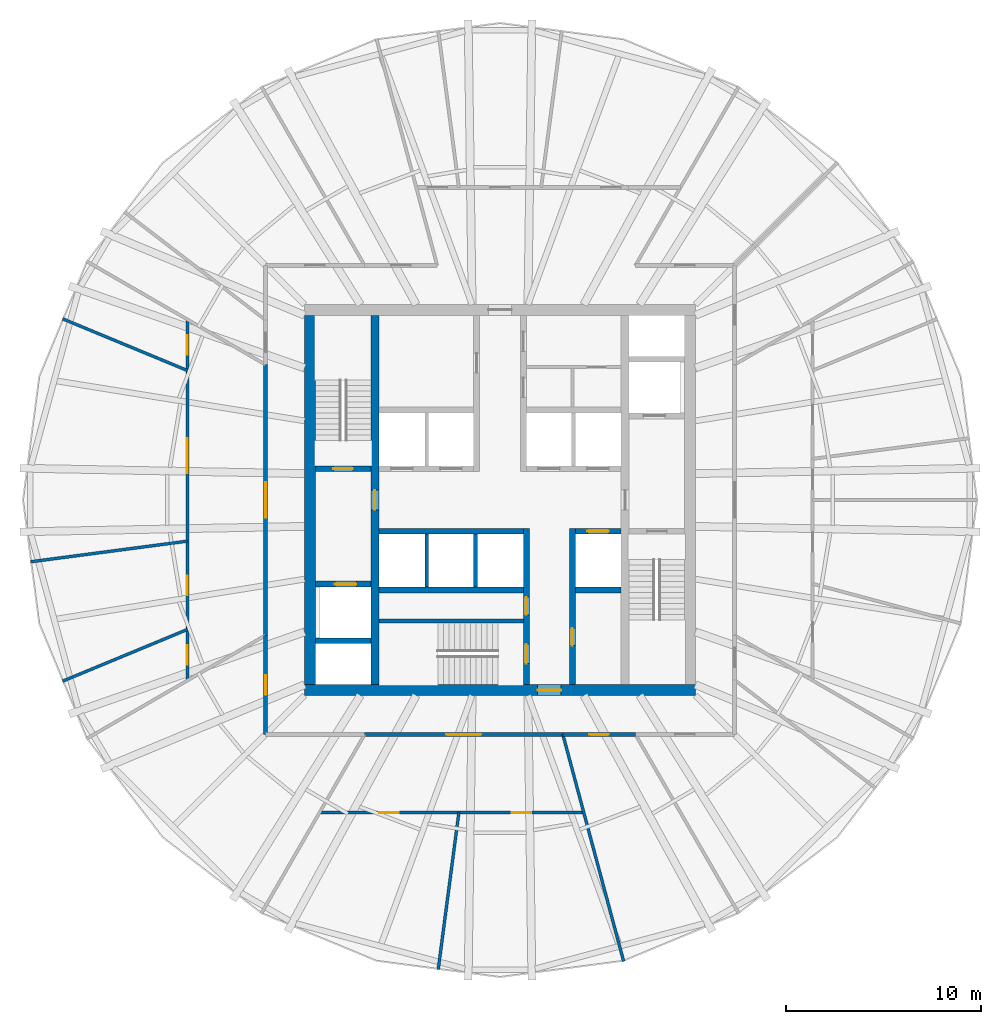
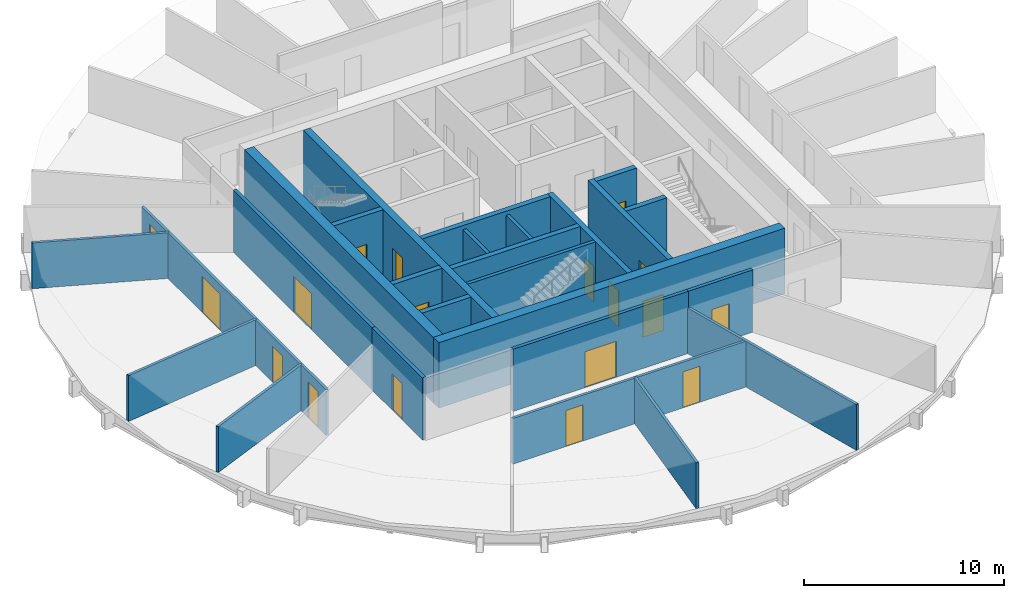
# One storey, part 3 of 6: 26 walls, 18 doors, 18 openings.
"""IFC4 building model written with IfcOpenShell, lengths in metres."""

from ifc_helpers import new_model, si_unit, direction, frame, frame_2d, origin, place, context, subcontext, project, spatial, rectangle, extrude, material, layer, layer_set, type_object, element, fill, save


model = new_model("IFC4")

# Units and contexts
model_context = context("Model", 3, precision=1e-05, world=origin(), true_north=direction((0.0, 1.0)))
body_context = subcontext(model_context, "Body", "Model", "MODEL_VIEW")
ifc_project = project(units=[si_unit("LENGTHUNIT", "METRE"), si_unit("AREAUNIT", "SQUARE_METRE"), si_unit("VOLUMEUNIT", "CUBIC_METRE"), si_unit("PLANEANGLEUNIT", "RADIAN"), si_unit("MASSUNIT", "GRAM", prefix="KILO")], contexts=[model_context])

# Site, building, storey
site_placement = place(None, origin())
site = spatial("IfcSite", under=ifc_project, at=site_placement, CompositionType="ELEMENT")
building_placement = place(site_placement, origin())
building = spatial("IfcBuilding", under=site, at=building_placement, Name="Golbaran Civic Tower", CompositionType="ELEMENT")
storey_placement = place(building_placement, frame((0.0, 0.0, 122.0)))
storey = spatial("IfcBuildingStorey", under=building, at=storey_placement, Name="L29", CompositionType="ELEMENT", Elevation=122.0)

# Wall, opening, door
ifc_material_1 = material(Name="Concrete C50/60", Category="concrete")
ifc_layer_1 = layer(ifc_material_1, 0.39990234375, Name="Concrete C50/60")
ifc_layer_set_1 = layer_set([ifc_layer_1], Name="Concrete C50/60")
wall_type_1 = type_object("IfcWallType", Name="CORE WALL CONCRETE 400", PredefinedType="SOLIDWALL", material=ifc_layer_set_1)
wall_1_placement = place(storey_placement, frame((-6.39990234375, -9.449951171875, 0.0), z_axis=(0.0, 0.0, 1.0), x_axis=(0.0, 1.0, 0.0)))
wall_1 = element("IfcWall", 1, at=wall_1_placement, inside=storey, type_object=wall_type_1, Name="Core wall IW L29", PredefinedType="SOLIDWALL", context=body_context, shape_type="SweptSolid", body=[
    extrude(rectangle(XDim=18.89990234375, YDim=0.39990234375, at=frame_2d((9.449951171875, 0.0))), origin(), (0.0, 0.0, 1.0), 4.0),
])
opening_1_placement = place(wall_1_placement, frame((8.949951171875, 0.0, 0.0)))
opening_1 = element("IfcOpeningElement", 2, at=opening_1_placement, cuts=wall_1, Name="Opening L29.FL1", PredefinedType="OPENING", context=body_context, shape_type="SweptSolid", body=[
    extrude(rectangle(XDim=1.0, YDim=2.199951171875, at=frame_2d((0.5, 1.10009765625))), frame((0.0, 0.2099609375, 0.0), z_axis=(0.0, -1.0, 0.0), x_axis=(1.0, 0.0, 0.0)), (0.0, 0.0, 1.0), 0.419921875),
])
ifc_material_2 = material(Name="Timber door set in steel frame", Category="steel")
door_type_1 = type_object("IfcDoorType", Name="STAIR DOOR 1000x2200", OperationType="SINGLE_SWING_LEFT", PredefinedType="DOOR", material=ifc_material_2)
door_1_placement = place(opening_1_placement, origin())
door_1 = element("IfcDoor", 3, at=door_1_placement, inside=storey, type_object=door_type_1, Name="Fire-fighting lobby FL1 door", OperationType="SINGLE_SWING_LEFT", OverallHeight=2.199951171875, OverallWidth=1.0, PredefinedType="DOOR", context=body_context, shape_type="SweptSolid", body=[
    extrude(rectangle(XDim=1.0, YDim=2.199951171875, at=frame_2d((0.5, 1.10009765625))), frame((0.0, 0.02490234375, 0.0), z_axis=(0.0, -1.0, 0.0), x_axis=(1.0, 0.0, 0.0)), (0.0, 0.0, 1.0), 0.050048828125),
])
fill(opening_1, door_1)

ifc_layer_2 = layer(ifc_material_1, 0.550048828125, Name="Concrete C50/60")
ifc_layer_set_2 = layer_set([ifc_layer_2], Name="Concrete C50/60")
wall_type_2 = type_object("IfcWallType", Name="CORE WALL CONCRETE 550", PredefinedType="SOLIDWALL", material=ifc_layer_set_2)
wall_2_placement = place(storey_placement, frame((10.0, -9.72509765625, 0.0), z_axis=(0.0, 0.0, 1.0), x_axis=(-1.0, 0.0, 0.0)))
wall_2 = element("IfcWall", 4, at=wall_2_placement, inside=storey, type_object=wall_type_2, Name="Core wall CS L29", PredefinedType="SOLIDWALL", context=body_context, shape_type="SweptSolid", body=[
    extrude(rectangle(XDim=20.0, YDim=0.550048828125, at=frame_2d((10.0, 0.0))), origin(), (0.0, 0.0, 1.0), 4.0),
])
opening_2_placement = place(wall_2_placement, frame((6.875, 0.0, 0.0)))
opening_2 = element("IfcOpeningElement", 5, at=opening_2_placement, cuts=wall_2, Name="Opening L29.CS", PredefinedType="OPENING", context=body_context, shape_type="SweptSolid", body=[
    extrude(rectangle(XDim=1.199951171875, YDim=2.199951171875, at=frame_2d((0.60009765625, 1.10009765625))), frame((0.0, 0.284912109375, 0.0), z_axis=(0.0, -1.0, 0.0), x_axis=(1.0, 0.0, 0.0)), (0.0, 0.0, 1.0), 0.570068359375),
])
door_type_2 = type_object("IfcDoorType", Name="CORE DOOR 1200x2200", OperationType="DOUBLE_DOOR_SINGLE_SWING", PredefinedType="DOOR", material=ifc_material_2)
door_2_placement = place(opening_2_placement, origin())
door_2 = element("IfcDoor", 6, at=door_2_placement, inside=storey, type_object=door_type_2, Name="Core door south", OperationType="DOUBLE_DOOR_SINGLE_SWING", OverallHeight=2.199951171875, OverallWidth=1.199951171875, PredefinedType="DOOR", context=body_context, shape_type="SweptSolid", body=[
    extrude(rectangle(XDim=1.199951171875, YDim=2.199951171875, at=frame_2d((0.60009765625, 1.10009765625))), frame((0.0, 0.02490234375, 0.0), z_axis=(0.0, -1.0, 0.0), x_axis=(1.0, 0.0, 0.0)), (0.0, 0.0, 1.0), 0.050048828125),
])
fill(opening_2, door_2)

# Wall
wall_3_placement = place(storey_placement, frame((-9.72509765625, 9.449951171875, 0.0), z_axis=(0.0, 0.0, 1.0), x_axis=(0.0, -1.0, 0.0)))
element("IfcWall", 7, at=wall_3_placement, inside=storey, type_object=wall_type_2, Name="Core wall CW L29", PredefinedType="SOLIDWALL", context=body_context, shape_type="SweptSolid", body=[
    extrude(rectangle(XDim=18.89990234375, YDim=0.550048828125, at=frame_2d((9.449951171875, 0.0))), origin(), (0.0, 0.0, 1.0), 4.0),
])

# Wall, opening, door
ifc_material_3 = material(Name="Gypsum board on steel studs, fire-rated", Category="steel")
ifc_layer_3 = layer(ifc_material_3, 0.199951171875, Name="Gypsum board on steel studs, fire-rated")
ifc_layer_set_3 = layer_set([ifc_layer_3], Name="Gypsum board on steel studs, fire-rated")
wall_type_3 = type_object("IfcWallType", Name="CORRIDOR WALL 200", PredefinedType="PARTITIONING", material=ifc_layer_set_3)
wall_4_placement = place(storey_placement, frame((-12.0, 6.92822265625, 0.0), z_axis=(0.0, 0.0, 1.0), x_axis=(0.0, -1.0, 0.0)))
wall_4 = element("IfcWall", 8, at=wall_4_placement, inside=storey, type_object=wall_type_3, Name="Corridor wall L29", PredefinedType="PARTITIONING", context=body_context, shape_type="SweptSolid", body=[
    extrude(rectangle(XDim=13.8564453125, YDim=0.199951171875, at=frame_2d((6.92822265625, 0.0))), origin(), (0.0, 0.0, 1.0), 3.800048828125),
])
opening_3_placement = place(wall_4_placement, frame((6.0283203125, 0.0, 0.0)))
opening_3 = element("IfcOpeningElement", 9, at=opening_3_placement, cuts=wall_4, Name="Opening L29.21", PredefinedType="OPENING", context=body_context, shape_type="SweptSolid", body=[
    extrude(rectangle(XDim=1.800048828125, YDim=2.199951171875, at=frame_2d((0.89990234375, 1.10009765625))), frame((0.0, 0.10986328125, 0.0), z_axis=(0.0, -1.0, 0.0), x_axis=(1.0, 0.0, 0.0)), (0.0, 0.0, 1.0), 0.219970703125),
])
door_type_3 = type_object("IfcDoorType", Name="OFFICE DOUBLE DOOR 1800x2200", OperationType="DOUBLE_DOOR_SINGLE_SWING", PredefinedType="DOOR", material=ifc_material_2)
door_3_placement = place(opening_3_placement, origin())
door_3 = element("IfcDoor", 10, at=door_3_placement, inside=storey, type_object=door_type_3, Name="Secretariat door L29", OperationType="DOUBLE_DOOR_SINGLE_SWING", OverallHeight=2.199951171875, OverallWidth=1.800048828125, PredefinedType="DOOR", context=body_context, shape_type="SweptSolid", body=[
    extrude(rectangle(XDim=1.800048828125, YDim=2.199951171875, at=frame_2d((0.89990234375, 1.10009765625))), frame((0.0, 0.02490234375, 0.0), z_axis=(0.0, -1.0, 0.0), x_axis=(1.0, 0.0, 0.0)), (0.0, 0.0, 1.0), 0.050048828125),
])
fill(opening_3, door_3)

wall_5_placement = place(storey_placement, frame((-12.0, -6.92822265625, 0.0), z_axis=(0.0, 0.0, 1.0), x_axis=(0.0, -1.0, 0.0)))
wall_5 = element("IfcWall", 11, at=wall_5_placement, inside=storey, type_object=wall_type_3, Name="Corridor wall L29", PredefinedType="PARTITIONING", context=body_context, shape_type="SweptSolid", body=[
    extrude(rectangle(XDim=5.07177734375, YDim=0.199951171875, at=frame_2d((2.535888671875, 0.0))), origin(), (0.0, 0.0, 1.0), 3.800048828125),
])
opening_4_placement = place(wall_5_placement, frame((2.035888671875, 0.0, 0.0)))
opening_4 = element("IfcOpeningElement", 12, at=opening_4_placement, cuts=wall_5, Name="Opening L29.22", PredefinedType="OPENING", context=body_context, shape_type="SweptSolid", body=[
    extrude(rectangle(XDim=1.0, YDim=2.199951171875, at=frame_2d((0.5, 1.10009765625))), frame((0.0, 0.10986328125, 0.0), z_axis=(0.0, -1.0, 0.0), x_axis=(1.0, 0.0, 0.0)), (0.0, 0.0, 1.0), 0.219970703125),
])
door_type_4 = type_object("IfcDoorType", Name="OFFICE DOOR 1000x2200", OperationType="SINGLE_SWING_LEFT", PredefinedType="DOOR", material=ifc_material_2)
door_4_placement = place(opening_4_placement, origin())
door_4 = element("IfcDoor", 13, at=door_4_placement, inside=storey, type_object=door_type_4, Name="File Room door L29", OperationType="SINGLE_SWING_RIGHT", OverallHeight=2.199951171875, OverallWidth=1.0, PredefinedType="DOOR", context=body_context, shape_type="SweptSolid", body=[
    extrude(rectangle(XDim=1.0, YDim=2.199951171875, at=frame_2d((0.5, 1.10009765625))), frame((0.0, 0.02490234375, 0.0), z_axis=(0.0, -1.0, 0.0), x_axis=(1.0, 0.0, 0.0)), (0.0, 0.0, 1.0), 0.050048828125),
])
fill(opening_4, door_4)

wall_6_placement = place(storey_placement, frame((-6.92822265625, -12.0, 0.0), z_axis=(0.0, 0.0, 1.0), x_axis=(1.0, 0.0, 0.0)))
wall_6 = element("IfcWall", 14, at=wall_6_placement, inside=storey, type_object=wall_type_3, Name="Corridor wall L29", PredefinedType="PARTITIONING", context=body_context, shape_type="SweptSolid", body=[
    extrude(rectangle(XDim=10.1435546875, YDim=0.199951171875, at=frame_2d((5.07177734375, 0.0))), origin(), (0.0, 0.0, 1.0), 3.800048828125),
])
opening_5_placement = place(wall_6_placement, frame((4.171875, 0.0, 0.0)))
opening_5 = element("IfcOpeningElement", 15, at=opening_5_placement, cuts=wall_6, Name="Opening L29.23", PredefinedType="OPENING", context=body_context, shape_type="SweptSolid", body=[
    extrude(rectangle(XDim=1.800048828125, YDim=2.199951171875, at=frame_2d((0.89990234375, 1.10009765625))), frame((0.0, 0.10986328125, 0.0), z_axis=(0.0, -1.0, 0.0), x_axis=(1.0, 0.0, 0.0)), (0.0, 0.0, 1.0), 0.219970703125),
])
door_5_placement = place(opening_5_placement, origin())
door_5 = element("IfcDoor", 16, at=door_5_placement, inside=storey, type_object=door_type_3, Name="Secretariat door L29", OperationType="DOUBLE_DOOR_SINGLE_SWING", OverallHeight=2.199951171875, OverallWidth=1.800048828125, PredefinedType="DOOR", context=body_context, shape_type="SweptSolid", body=[
    extrude(rectangle(XDim=1.800048828125, YDim=2.199951171875, at=frame_2d((0.89990234375, 1.10009765625))), frame((0.0, 0.02490234375, 0.0), z_axis=(0.0, -1.0, 0.0), x_axis=(1.0, 0.0, 0.0)), (0.0, 0.0, 1.0), 0.050048828125),
])
fill(opening_5, door_5)

wall_7_placement = place(storey_placement, frame((3.21533203125, -12.0, 0.0), z_axis=(0.0, 0.0, 1.0), x_axis=(1.0, 0.0, 0.0)))
wall_7 = element("IfcWall", 17, at=wall_7_placement, inside=storey, type_object=wall_type_3, Name="Corridor wall L29", PredefinedType="PARTITIONING", context=body_context, shape_type="SweptSolid", body=[
    extrude(rectangle(XDim=3.712890625, YDim=0.199951171875, at=frame_2d((1.8564453125, 0.0))), origin(), (0.0, 0.0, 1.0), 3.800048828125),
])
opening_6_placement = place(wall_7_placement, frame((1.3564453125, 0.0, 0.0)))
opening_6 = element("IfcOpeningElement", 18, at=opening_6_placement, cuts=wall_7, Name="Opening L29.24", PredefinedType="OPENING", context=body_context, shape_type="SweptSolid", body=[
    extrude(rectangle(XDim=1.0, YDim=2.199951171875, at=frame_2d((0.5, 1.10009765625))), frame((0.0, 0.10986328125, 0.0), z_axis=(0.0, -1.0, 0.0), x_axis=(1.0, 0.0, 0.0)), (0.0, 0.0, 1.0), 0.219970703125),
])
door_6_placement = place(opening_6_placement, origin())
door_6 = element("IfcDoor", 19, at=door_6_placement, inside=storey, type_object=door_type_4, Name="Meeting Room door L29", OperationType="SINGLE_SWING_LEFT", OverallHeight=2.199951171875, OverallWidth=1.0, PredefinedType="DOOR", context=body_context, shape_type="SweptSolid", body=[
    extrude(rectangle(XDim=1.0, YDim=2.199951171875, at=frame_2d((0.5, 1.10009765625))), frame((0.0, 0.02490234375, 0.0), z_axis=(0.0, -1.0, 0.0), x_axis=(1.0, 0.0, 0.0)), (0.0, 0.0, 1.0), 0.050048828125),
])
fill(opening_6, door_6)

# Walls
ifc_material_4 = material(Name="Concrete block", Category="concrete")
ifc_layer_4 = layer(ifc_material_4, 0.199951171875, Name="Concrete block")
ifc_layer_set_4 = layer_set([ifc_layer_4], Name="Concrete block")
wall_type_4 = type_object("IfcWallType", Name="LIFT SEPARATOR WALL 200", PredefinedType="SOLIDWALL", material=ifc_layer_set_4)
for number, where, z_axis, x_axis, name in (
    (20, (-3.75, -1.75, 0.0), (0.0, 0.0, 1.0), (0.0, -1.0, 0.0), "Core partition SSW L29"),
    (21, (-1.25, -1.75, 0.0), (0.0, 0.0, 1.0), (0.0, -1.0, 0.0), "Core partition SSM L29"),
):
    element("IfcWall", number, at=place(storey_placement, frame(where, z_axis=z_axis, x_axis=x_axis)), inside=storey, type_object=wall_type_4, Name=name, PredefinedType="SOLIDWALL", context=body_context, shape_type="SweptSolid", body=[
        extrude(rectangle(XDim=2.699951171875, YDim=0.199951171875, at=frame_2d((1.35009765625, 0.0))), origin(), (0.0, 0.0, 1.0), 3.75),
    ])
ifc_material_5 = material(Name="Gypsum board on steel studs", Category="steel")
ifc_layer_5 = layer(ifc_material_5, 0.14990234375, Name="Gypsum board on steel studs")
ifc_layer_set_5 = layer_set([ifc_layer_5], Name="Gypsum board on steel studs")
wall_type_5 = type_object("IfcWallType", Name="OFFICE PARTITION 150", PredefinedType="PARTITIONING", material=ifc_layer_set_5)
wall_8_placement = place(storey_placement, frame((3.21533203125, -12.0, 0.0), z_axis=(0.0, 0.0, 1.0), x_axis=(0.258826780857, -0.965923753467, 0.0)))
element("IfcWall", 22, at=wall_8_placement, inside=storey, type_object=wall_type_5, Name="Partition 285 L29", PredefinedType="PARTITIONING", context=body_context, shape_type="SweptSolid", body=[
    extrude(rectangle(XDim=12.02001953125, YDim=0.14990234375, at=frame_2d((6.010009765625, 0.0))), origin(), (0.0, 0.0, 1.0), 2.7900390625),
])

# Wall, openings, doors
wall_9_placement = place(storey_placement, frame((-16.0, 9.237548828125, 0.0), z_axis=(0.0, 0.0, 1.0), x_axis=(0.0, -1.0, 0.0)))
wall_9 = element("IfcWall", 23, at=wall_9_placement, inside=storey, type_object=wall_type_5, Name="Suite partition L29", PredefinedType="PARTITIONING", context=body_context, shape_type="SweptSolid", body=[
    extrude(rectangle(XDim=18.47509765625, YDim=0.14990234375, at=frame_2d((9.237548828125, 0.0))), origin(), (0.0, 0.0, 1.0), 2.7900390625),
])
opening_7_placement = place(wall_9_placement, frame((0.80517578125, 0.0, 0.0)))
opening_7 = element("IfcOpeningElement", 24, at=opening_7_placement, cuts=wall_9, Name="Opening L29.09", PredefinedType="OPENING", context=body_context, shape_type="SweptSolid", body=[
    extrude(rectangle(XDim=1.0, YDim=2.199951171875, at=frame_2d((0.5, 1.10009765625))), frame((0.0, 0.0849609375, 0.0), z_axis=(0.0, -1.0, 0.0), x_axis=(1.0, 0.0, 0.0)), (0.0, 0.0, 1.0), 0.169921875),
])
opening_8_placement = place(wall_9_placement, frame((6.0771484375, 0.0, 0.0)))
opening_8 = element("IfcOpeningElement", 25, at=opening_8_placement, cuts=wall_9, Name="Opening L29.10", PredefinedType="OPENING", context=body_context, shape_type="SweptSolid", body=[
    extrude(rectangle(XDim=1.800048828125, YDim=2.199951171875, at=frame_2d((0.89990234375, 1.10009765625))), frame((0.0, 0.0849609375, 0.0), z_axis=(0.0, -1.0, 0.0), x_axis=(1.0, 0.0, 0.0)), (0.0, 0.0, 1.0), 0.169921875),
])
opening_9_placement = place(wall_9_placement, frame((13.1044921875, 0.0, 0.0)))
opening_9 = element("IfcOpeningElement", 26, at=opening_9_placement, cuts=wall_9, Name="Opening L29.11", PredefinedType="OPENING", context=body_context, shape_type="SweptSolid", body=[
    extrude(rectangle(XDim=1.0, YDim=2.199951171875, at=frame_2d((0.5, 1.10009765625))), frame((0.0, 0.0849609375, 0.0), z_axis=(0.0, -1.0, 0.0), x_axis=(1.0, 0.0, 0.0)), (0.0, 0.0, 1.0), 0.169921875),
])
opening_10_placement = place(wall_9_placement, frame((16.670166015625, 0.0, 0.0)))
opening_10 = element("IfcOpeningElement", 27, at=opening_10_placement, cuts=wall_9, Name="Opening L29.12", PredefinedType="OPENING", context=body_context, shape_type="SweptSolid", body=[
    extrude(rectangle(XDim=1.0, YDim=2.199951171875, at=frame_2d((0.5, 1.10009765625))), frame((0.0, 0.0849609375, 0.0), z_axis=(0.0, -1.0, 0.0), x_axis=(1.0, 0.0, 0.0)), (0.0, 0.0, 1.0), 0.169921875),
])
door_7_placement = place(opening_7_placement, origin())
door_7 = element("IfcDoor", 28, at=door_7_placement, inside=storey, type_object=door_type_4, Name="Director's Office door L29", OperationType="SINGLE_SWING_LEFT", OverallHeight=2.199951171875, OverallWidth=1.0, PredefinedType="DOOR", context=body_context, shape_type="SweptSolid", body=[
    extrude(rectangle(XDim=1.0, YDim=2.199951171875, at=frame_2d((0.5, 1.10009765625))), frame((0.0, 0.02490234375, 0.0), z_axis=(0.0, -1.0, 0.0), x_axis=(1.0, 0.0, 0.0)), (0.0, 0.0, 1.0), 0.050048828125),
])
fill(opening_7, door_7)
door_8_placement = place(opening_9_placement, origin())
door_8 = element("IfcDoor", 29, at=door_8_placement, inside=storey, type_object=door_type_4, Name="Office door L29", OperationType="SINGLE_SWING_RIGHT", OverallHeight=2.199951171875, OverallWidth=1.0, PredefinedType="DOOR", context=body_context, shape_type="SweptSolid", body=[
    extrude(rectangle(XDim=1.0, YDim=2.199951171875, at=frame_2d((0.5, 1.10009765625))), frame((0.0, 0.02490234375, 0.0), z_axis=(0.0, -1.0, 0.0), x_axis=(1.0, 0.0, 0.0)), (0.0, 0.0, 1.0), 0.050048828125),
])
fill(opening_9, door_8)
door_9_placement = place(opening_10_placement, origin())
door_9 = element("IfcDoor", 30, at=door_9_placement, inside=storey, type_object=door_type_4, Name="Office door L29", OperationType="SINGLE_SWING_RIGHT", OverallHeight=2.199951171875, OverallWidth=1.0, PredefinedType="DOOR", context=body_context, shape_type="SweptSolid", body=[
    extrude(rectangle(XDim=1.0, YDim=2.199951171875, at=frame_2d((0.5, 1.10009765625))), frame((0.0, 0.02490234375, 0.0), z_axis=(0.0, -1.0, 0.0), x_axis=(1.0, 0.0, 0.0)), (0.0, 0.0, 1.0), 0.050048828125),
])
fill(opening_10, door_9)
door_10_placement = place(opening_8_placement, origin())
door_10 = element("IfcDoor", 31, at=door_10_placement, inside=storey, type_object=door_type_3, Name="Office door L29", OperationType="DOUBLE_DOOR_SINGLE_SWING", OverallHeight=2.199951171875, OverallWidth=1.800048828125, PredefinedType="DOOR", context=body_context, shape_type="SweptSolid", body=[
    extrude(rectangle(XDim=1.800048828125, YDim=2.199951171875, at=frame_2d((0.89990234375, 1.10009765625))), frame((0.0, 0.02490234375, 0.0), z_axis=(0.0, -1.0, 0.0), x_axis=(1.0, 0.0, 0.0)), (0.0, 0.0, 1.0), 0.050048828125),
])
fill(opening_8, door_10)

# Walls
wall_10_placement = place(storey_placement, frame((-16.0, 6.62744140625, 0.0), z_axis=(0.0, 0.0, 1.0), x_axis=(-0.923884314452, 0.382671887534, 0.0)))
element("IfcWall", 32, at=wall_10_placement, inside=storey, type_object=wall_type_5, Name="Partition 157.5 L29", PredefinedType="PARTITIONING", context=body_context, shape_type="SweptSolid", body=[
    extrude(rectangle(XDim=6.915771484375, YDim=0.14990234375, at=frame_2d((3.4580078125, 0.0))), origin(), (0.0, 0.0, 1.0), 2.7900390625),
])
wall_11_placement = place(storey_placement, frame((-16.0, -2.1064453125, 0.0), z_axis=(0.0, 0.0, 1.0), x_axis=(-0.99144669858, -0.130512236494, 0.0)))
element("IfcWall", 33, at=wall_11_placement, inside=storey, type_object=wall_type_5, Name="Partition 187.5 L29", PredefinedType="PARTITIONING", context=body_context, shape_type="SweptSolid", body=[
    extrude(rectangle(XDim=8.09619140625, YDim=0.14990234375, at=frame_2d((4.048095703125, 0.0))), origin(), (0.0, 0.0, 1.0), 2.7900390625),
])
wall_12_placement = place(storey_placement, frame((-16.0, -6.62744140625, 0.0), z_axis=(0.0, 0.0, 1.0), x_axis=(-0.923884314452, -0.382671887534, 0.0)))
element("IfcWall", 34, at=wall_12_placement, inside=storey, type_object=wall_type_5, Name="Partition 202.5 L29", PredefinedType="PARTITIONING", context=body_context, shape_type="SweptSolid", body=[
    extrude(rectangle(XDim=6.915771484375, YDim=0.14990234375, at=frame_2d((3.4580078125, 0.0))), origin(), (0.0, 0.0, 1.0), 2.7900390625),
])

# Wall, openings, doors
wall_13_placement = place(storey_placement, frame((-9.237548828125, -16.0, 0.0), z_axis=(0.0, 0.0, 1.0), x_axis=(1.0, 0.0, 0.0)))
wall_13 = element("IfcWall", 35, at=wall_13_placement, inside=storey, type_object=wall_type_5, Name="Suite partition L29", PredefinedType="PARTITIONING", context=body_context, shape_type="SweptSolid", body=[
    extrude(rectangle(XDim=13.524658203125, YDim=0.14990234375, at=frame_2d((6.76220703125, 0.0))), origin(), (0.0, 0.0, 1.0), 2.7900390625),
])
opening_11_placement = place(wall_13_placement, frame((3.065673828125, 0.0, 0.0)))
opening_11 = element("IfcOpeningElement", 36, at=opening_11_placement, cuts=wall_13, Name="Opening L29.13", PredefinedType="OPENING", context=body_context, shape_type="SweptSolid", body=[
    extrude(rectangle(XDim=1.0, YDim=2.199951171875, at=frame_2d((0.5, 1.10009765625))), frame((0.0, 0.0849609375, 0.0), z_axis=(0.0, -1.0, 0.0), x_axis=(1.0, 0.0, 0.0)), (0.0, 0.0, 1.0), 0.169921875),
])
opening_12_placement = place(wall_13_placement, frame((9.827880859375, 0.0, 0.0)))
opening_12 = element("IfcOpeningElement", 37, at=opening_12_placement, cuts=wall_13, Name="Opening L29.14", PredefinedType="OPENING", context=body_context, shape_type="SweptSolid", body=[
    extrude(rectangle(XDim=1.0, YDim=2.199951171875, at=frame_2d((0.5, 1.10009765625))), frame((0.0, 0.0849609375, 0.0), z_axis=(0.0, -1.0, 0.0), x_axis=(1.0, 0.0, 0.0)), (0.0, 0.0, 1.0), 0.169921875),
])
door_11_placement = place(opening_11_placement, origin())
door_11 = element("IfcDoor", 38, at=door_11_placement, inside=storey, type_object=door_type_4, Name="Director's Office door L29", OperationType="SINGLE_SWING_LEFT", OverallHeight=2.199951171875, OverallWidth=1.0, PredefinedType="DOOR", context=body_context, shape_type="SweptSolid", body=[
    extrude(rectangle(XDim=1.0, YDim=2.199951171875, at=frame_2d((0.5, 1.10009765625))), frame((0.0, 0.02490234375, 0.0), z_axis=(0.0, -1.0, 0.0), x_axis=(1.0, 0.0, 0.0)), (0.0, 0.0, 1.0), 0.050048828125),
])
fill(opening_11, door_11)
door_12_placement = place(opening_12_placement, origin())
door_12 = element("IfcDoor", 39, at=door_12_placement, inside=storey, type_object=door_type_4, Name="Director's Office door L29", OperationType="SINGLE_SWING_RIGHT", OverallHeight=2.199951171875, OverallWidth=1.0, PredefinedType="DOOR", context=body_context, shape_type="SweptSolid", body=[
    extrude(rectangle(XDim=1.0, YDim=2.199951171875, at=frame_2d((0.5, 1.10009765625))), frame((0.0, 0.02490234375, 0.0), z_axis=(0.0, -1.0, 0.0), x_axis=(1.0, 0.0, 0.0)), (0.0, 0.0, 1.0), 0.050048828125),
])
fill(opening_12, door_12)

# Walls
wall_14_placement = place(storey_placement, frame((-2.1064453125, -16.0, 0.0), z_axis=(0.0, 0.0, 1.0), x_axis=(-0.130512236494, -0.99144669858, 0.0)))
element("IfcWall", 40, at=wall_14_placement, inside=storey, type_object=wall_type_5, Name="Partition 262.5 L29", PredefinedType="PARTITIONING", context=body_context, shape_type="SweptSolid", body=[
    extrude(rectangle(XDim=8.09619140625, YDim=0.14990234375, at=frame_2d((4.048095703125, 0.0))), origin(), (0.0, 0.0, 1.0), 2.7900390625),
])
ifc_layer_6 = layer(ifc_material_1, 0.199951171875, Name="Concrete C50/60")
ifc_layer_set_6 = layer_set([ifc_layer_6], Name="Concrete C50/60")
wall_type_6 = type_object("IfcWallType", Name="SHAFT WALL CONCRETE 200", PredefinedType="SOLIDWALL", material=ifc_layer_set_6)
wall_15_placement = place(storey_placement, frame((-6.199951171875, -6.199951171875, 0.0), z_axis=(0.0, 0.0, 1.0), x_axis=(1.0, 0.0, 0.0)))
element("IfcWall", 41, at=wall_15_placement, inside=storey, type_object=wall_type_6, Name="Core wall S3N L29", PredefinedType="SOLIDWALL", context=body_context, shape_type="SweptSolid", body=[
    extrude(rectangle(XDim=7.39990234375, YDim=0.199951171875, at=frame_2d((3.699951171875, 0.0))), origin(), (0.0, 0.0, 1.0), 4.0),
])
ifc_layer_7 = layer(ifc_material_1, 0.300048828125, Name="Concrete C50/60")
ifc_layer_set_7 = layer_set([ifc_layer_7], Name="Concrete C50/60")
wall_type_7 = type_object("IfcWallType", Name="SHAFT WALL CONCRETE 300", PredefinedType="SOLIDWALL", material=ifc_layer_set_7)
wall_16_placement = place(storey_placement, frame((-6.199951171875, -1.60009765625, 0.0), z_axis=(0.0, 0.0, 1.0), x_axis=(1.0, 0.0, 0.0)))
element("IfcWall", 42, at=wall_16_placement, inside=storey, type_object=wall_type_7, Name="Core wall FSW L29", PredefinedType="SOLIDWALL", context=body_context, shape_type="SweptSolid", body=[
    extrude(rectangle(XDim=7.39990234375, YDim=0.300048828125, at=frame_2d((3.699951171875, 0.0))), origin(), (0.0, 0.0, 1.0), 4.0),
])

# Wall, opening, door
wall_17_placement = place(storey_placement, frame((3.85009765625, -1.60009765625, 0.0), z_axis=(0.0, 0.0, 1.0), x_axis=(1.0, 0.0, 0.0)))
wall_17 = element("IfcWall", 43, at=wall_17_placement, inside=storey, type_object=wall_type_7, Name="Core wall FSE L29", PredefinedType="SOLIDWALL", context=body_context, shape_type="SweptSolid", body=[
    extrude(rectangle(XDim=2.349853515625, YDim=0.300048828125, at=frame_2d((1.1748046875, 0.0))), origin(), (0.0, 0.0, 1.0), 4.0),
])
opening_13_placement = place(wall_17_placement, frame((0.625, 0.0, 0.0)))
opening_13 = element("IfcOpeningElement", 44, at=opening_13_placement, cuts=wall_17, Name="Opening L29.LD-V1", PredefinedType="OPENING", context=body_context, shape_type="SweptSolid", body=[
    extrude(rectangle(XDim=1.10009765625, YDim=2.199951171875, at=frame_2d((0.550048828125, 1.10009765625))), frame((0.0, 0.159912109375, 0.0), z_axis=(0.0, -1.0, 0.0), x_axis=(1.0, 0.0, 0.0)), (0.0, 0.0, 1.0), 0.320068359375),
])
ifc_material_6 = material(Name="Stainless steel", Category="steel")
door_type_5 = type_object("IfcDoorType", Name="LIFT LANDING DOOR 1100x2200", OperationType="SLIDING_TO_LEFT", PredefinedType="DOOR", material=ifc_material_6)
door_13_placement = place(opening_13_placement, origin())
door_13 = element("IfcDoor", 45, at=door_13_placement, inside=storey, type_object=door_type_5, Name="Lift landing door V1", OperationType="SLIDING_TO_LEFT", OverallHeight=2.199951171875, OverallWidth=1.10009765625, PredefinedType="DOOR", context=body_context, shape_type="SweptSolid", body=[
    extrude(rectangle(XDim=1.10009765625, YDim=2.199951171875, at=frame_2d((0.550048828125, 1.10009765625))), frame((0.0, 0.02490234375, 0.0), z_axis=(0.0, -1.0, 0.0), x_axis=(1.0, 0.0, 0.0)), (0.0, 0.0, 1.0), 0.050048828125),
])
fill(opening_13, door_13)

# Walls
wall_18_placement = place(storey_placement, frame((-6.199951171875, -4.60009765625, 0.0), z_axis=(0.0, 0.0, 1.0), x_axis=(1.0, 0.0, 0.0)))
element("IfcWall", 46, at=wall_18_placement, inside=storey, type_object=wall_type_7, Name="Core wall BSW L29", PredefinedType="SOLIDWALL", context=body_context, shape_type="SweptSolid", body=[
    extrude(rectangle(XDim=7.39990234375, YDim=0.300048828125, at=frame_2d((3.699951171875, 0.0))), origin(), (0.0, 0.0, 1.0), 4.0),
])
wall_19_placement = place(storey_placement, frame((3.85009765625, -4.60009765625, 0.0), z_axis=(0.0, 0.0, 1.0), x_axis=(1.0, 0.0, 0.0)))
element("IfcWall", 47, at=wall_19_placement, inside=storey, type_object=wall_type_7, Name="Core wall BSE L29", PredefinedType="SOLIDWALL", context=body_context, shape_type="SweptSolid", body=[
    extrude(rectangle(XDim=2.349853515625, YDim=0.300048828125, at=frame_2d((1.1748046875, 0.0))), origin(), (0.0, 0.0, 1.0), 4.0),
])

# Wall, openings, doors
wall_20_placement = place(storey_placement, frame((1.35009765625, -1.449951171875, 0.0), z_axis=(0.0, 0.0, 1.0), x_axis=(0.0, -1.0, 0.0)))
wall_20 = element("IfcWall", 48, at=wall_20_placement, inside=storey, type_object=wall_type_7, Name="Core wall PSW L29", PredefinedType="SOLIDWALL", context=body_context, shape_type="SweptSolid", body=[
    extrude(rectangle(XDim=8.0, YDim=0.300048828125, at=frame_2d((4.0, 0.0))), origin(), (0.0, 0.0, 1.0), 4.0),
])
opening_14_placement = place(wall_20_placement, frame((5.925048828125, 0.0, 0.0)))
opening_14 = element("IfcOpeningElement", 49, at=opening_14_placement, cuts=wall_20, Name="Opening L29.S3", PredefinedType="OPENING", context=body_context, shape_type="SweptSolid", body=[
    extrude(rectangle(XDim=1.0, YDim=2.199951171875, at=frame_2d((0.5, 1.10009765625))), frame((0.0, 0.159912109375, 0.0), z_axis=(0.0, -1.0, 0.0), x_axis=(1.0, 0.0, 0.0)), (0.0, 0.0, 1.0), 0.320068359375),
])
opening_15_placement = place(wall_20_placement, frame((3.52490234375, 0.0, 0.0)))
opening_15 = element("IfcOpeningElement", 50, at=opening_15_placement, cuts=wall_20, Name="Opening L29.RE", PredefinedType="OPENING", context=body_context, shape_type="SweptSolid", body=[
    extrude(rectangle(XDim=0.89990234375, YDim=2.199951171875, at=frame_2d((0.449951171875, 1.10009765625))), frame((0.0, 0.159912109375, 0.0), z_axis=(0.0, -1.0, 0.0), x_axis=(1.0, 0.0, 0.0)), (0.0, 0.0, 1.0), 0.320068359375),
])
door_type_6 = type_object("IfcDoorType", Name="RISER DOOR 900x2200", OperationType="SINGLE_SWING_LEFT", PredefinedType="DOOR", material=ifc_material_2)
door_14_placement = place(opening_15_placement, origin())
door_14 = element("IfcDoor", 51, at=door_14_placement, inside=storey, type_object=door_type_6, Name="Electrical riser door", OperationType="SINGLE_SWING_LEFT", OverallHeight=2.199951171875, OverallWidth=0.89990234375, PredefinedType="DOOR", context=body_context, shape_type="SweptSolid", body=[
    extrude(rectangle(XDim=0.89990234375, YDim=2.199951171875, at=frame_2d((0.449951171875, 1.10009765625))), frame((0.0, 0.02490234375, 0.0), z_axis=(0.0, -1.0, 0.0), x_axis=(1.0, 0.0, 0.0)), (0.0, 0.0, 1.0), 0.050048828125),
])
fill(opening_15, door_14)
door_15_placement = place(opening_14_placement, origin())
door_15 = element("IfcDoor", 52, at=door_15_placement, inside=storey, type_object=door_type_1, Name="Stair S3 door", OperationType="SINGLE_SWING_RIGHT", OverallHeight=2.199951171875, OverallWidth=1.0, PredefinedType="DOOR", context=body_context, shape_type="SweptSolid", body=[
    extrude(rectangle(XDim=1.0, YDim=2.199951171875, at=frame_2d((0.5, 1.10009765625))), frame((0.0, 0.02490234375, 0.0), z_axis=(0.0, -1.0, 0.0), x_axis=(1.0, 0.0, 0.0)), (0.0, 0.0, 1.0), 0.050048828125),
])
fill(opening_14, door_15)

# Wall, opening, door
wall_21_placement = place(storey_placement, frame((3.699951171875, -1.449951171875, 0.0), z_axis=(0.0, 0.0, 1.0), x_axis=(0.0, -1.0, 0.0)))
wall_21 = element("IfcWall", 53, at=wall_21_placement, inside=storey, type_object=wall_type_7, Name="Core wall PSE L29", PredefinedType="SOLIDWALL", context=body_context, shape_type="SweptSolid", body=[
    extrude(rectangle(XDim=8.0, YDim=0.300048828125, at=frame_2d((4.0, 0.0))), origin(), (0.0, 0.0, 1.0), 4.0),
])
opening_16_placement = place(wall_21_placement, frame((5.10009765625, 0.0, 0.0)))
opening_16 = element("IfcOpeningElement", 54, at=opening_16_placement, cuts=wall_21, Name="Opening L29.RM", PredefinedType="OPENING", context=body_context, shape_type="SweptSolid", body=[
    extrude(rectangle(XDim=0.89990234375, YDim=2.199951171875, at=frame_2d((0.449951171875, 1.10009765625))), frame((0.0, 0.159912109375, 0.0), z_axis=(0.0, -1.0, 0.0), x_axis=(1.0, 0.0, 0.0)), (0.0, 0.0, 1.0), 0.320068359375),
])
door_16_placement = place(opening_16_placement, origin())
door_16 = element("IfcDoor", 55, at=door_16_placement, inside=storey, type_object=door_type_6, Name="Mechanical riser door", OperationType="SINGLE_SWING_RIGHT", OverallHeight=2.199951171875, OverallWidth=0.89990234375, PredefinedType="DOOR", context=body_context, shape_type="SweptSolid", body=[
    extrude(rectangle(XDim=0.89990234375, YDim=2.199951171875, at=frame_2d((0.449951171875, 1.10009765625))), frame((0.0, 0.02490234375, 0.0), z_axis=(0.0, -1.0, 0.0), x_axis=(1.0, 0.0, 0.0)), (0.0, 0.0, 1.0), 0.050048828125),
])
fill(opening_16, door_16)

wall_22_placement = place(storey_placement, frame((-9.449951171875, 1.60009765625, 0.0), z_axis=(0.0, 0.0, 1.0), x_axis=(1.0, 0.0, 0.0)))
wall_22 = element("IfcWall", 56, at=wall_22_placement, inside=storey, type_object=wall_type_7, Name="Core wall XW1 L29", PredefinedType="SOLIDWALL", context=body_context, shape_type="SweptSolid", body=[
    extrude(rectangle(XDim=2.849853515625, YDim=0.300048828125, at=frame_2d((1.4248046875, 0.0))), origin(), (0.0, 0.0, 1.0), 4.0),
])
opening_17_placement = place(wall_22_placement, frame((0.925048828125, 0.0, 0.0)))
opening_17 = element("IfcOpeningElement", 57, at=opening_17_placement, cuts=wall_22, Name="Opening L29.S1", PredefinedType="OPENING", context=body_context, shape_type="SweptSolid", body=[
    extrude(rectangle(XDim=1.0, YDim=2.199951171875, at=frame_2d((0.5, 1.10009765625))), frame((0.0, 0.159912109375, 0.0), z_axis=(0.0, -1.0, 0.0), x_axis=(1.0, 0.0, 0.0)), (0.0, 0.0, 1.0), 0.320068359375),
])
door_17_placement = place(opening_17_placement, origin())
door_17 = element("IfcDoor", 58, at=door_17_placement, inside=storey, type_object=door_type_1, Name="Stair S1 door", OperationType="SINGLE_SWING_LEFT", OverallHeight=2.199951171875, OverallWidth=1.0, PredefinedType="DOOR", context=body_context, shape_type="SweptSolid", body=[
    extrude(rectangle(XDim=1.0, YDim=2.199951171875, at=frame_2d((0.5, 1.10009765625))), frame((0.0, 0.02490234375, 0.0), z_axis=(0.0, -1.0, 0.0), x_axis=(1.0, 0.0, 0.0)), (0.0, 0.0, 1.0), 0.050048828125),
])
fill(opening_17, door_17)

wall_23_placement = place(storey_placement, frame((-9.449951171875, -4.300048828125, 0.0), z_axis=(0.0, 0.0, 1.0), x_axis=(1.0, 0.0, 0.0)))
wall_23 = element("IfcWall", 59, at=wall_23_placement, inside=storey, type_object=wall_type_7, Name="Core wall XW2 L29", PredefinedType="SOLIDWALL", context=body_context, shape_type="SweptSolid", body=[
    extrude(rectangle(XDim=2.849853515625, YDim=0.300048828125, at=frame_2d((1.4248046875, 0.0))), origin(), (0.0, 0.0, 1.0), 4.0),
])
opening_18_placement = place(wall_23_placement, frame((1.0, 0.0, 0.0)))
opening_18 = element("IfcOpeningElement", 60, at=opening_18_placement, cuts=wall_23, Name="Opening L29.LD-F1", PredefinedType="OPENING", context=body_context, shape_type="SweptSolid", body=[
    extrude(rectangle(XDim=1.10009765625, YDim=2.199951171875, at=frame_2d((0.550048828125, 1.10009765625))), frame((0.0, 0.159912109375, 0.0), z_axis=(0.0, -1.0, 0.0), x_axis=(1.0, 0.0, 0.0)), (0.0, 0.0, 1.0), 0.320068359375),
])
door_18_placement = place(opening_18_placement, origin())
door_18 = element("IfcDoor", 61, at=door_18_placement, inside=storey, type_object=door_type_5, Name="Lift landing door F1", OperationType="SLIDING_TO_LEFT", OverallHeight=2.199951171875, OverallWidth=1.10009765625, PredefinedType="DOOR", context=body_context, shape_type="SweptSolid", body=[
    extrude(rectangle(XDim=1.10009765625, YDim=2.199951171875, at=frame_2d((0.550048828125, 1.10009765625))), frame((0.0, 0.02490234375, 0.0), z_axis=(0.0, -1.0, 0.0), x_axis=(1.0, 0.0, 0.0)), (0.0, 0.0, 1.0), 0.050048828125),
])
fill(opening_18, door_18)

# Wall
wall_24_placement = place(storey_placement, frame((-9.449951171875, -7.199951171875, 0.0), z_axis=(0.0, 0.0, 1.0), x_axis=(1.0, 0.0, 0.0)))
element("IfcWall", 62, at=wall_24_placement, inside=storey, type_object=wall_type_7, Name="Core wall XW3 L29", PredefinedType="SOLIDWALL", context=body_context, shape_type="SweptSolid", body=[
    extrude(rectangle(XDim=2.849853515625, YDim=0.300048828125, at=frame_2d((1.4248046875, 0.0))), origin(), (0.0, 0.0, 1.0), 4.0),
])

save(model, "model.ifc")
